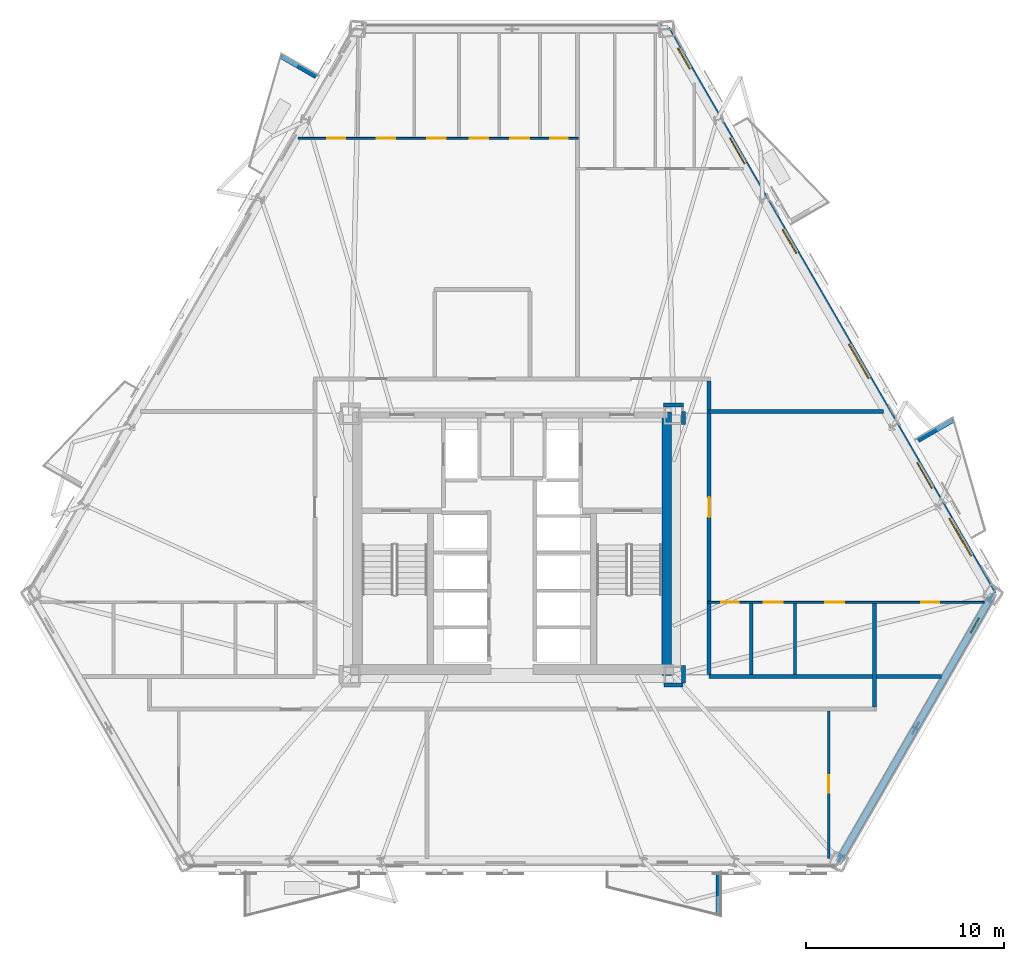
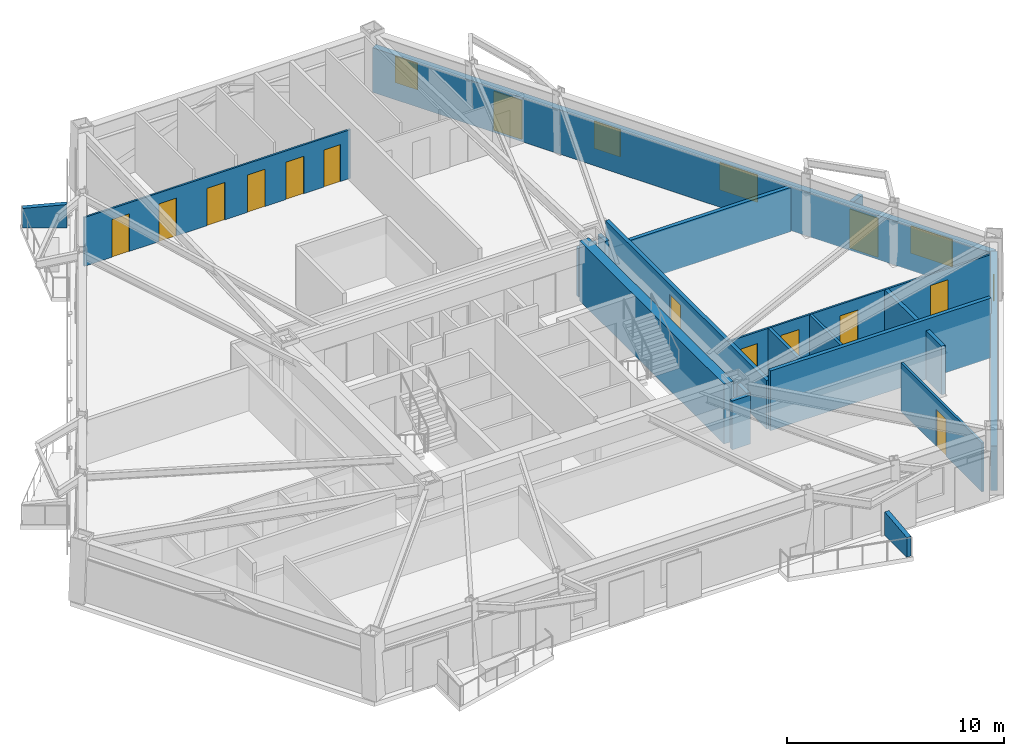
# One storey, part 5 of 12: 19 walls, 14 doors, 5 windows, 19 openings.
"""IFC4 building model written with IfcOpenShell, lengths in metres."""

from ifc_helpers import new_model, si_unit, direction, frame, frame_2d, origin, place, context, subcontext, project, spatial, polyline, rectangle, outline, extrude, material, layer, layer_set, type_object, element, fill, save


model = new_model("IFC4")

# Units and contexts
model_context = context("Model", 3, precision=1e-05, world=origin(), true_north=direction((0.0, 1.0)))
body_context = subcontext(model_context, "Body", "Model", "MODEL_VIEW")
ifc_project = project(units=[si_unit("LENGTHUNIT", "METRE"), si_unit("AREAUNIT", "SQUARE_METRE"), si_unit("VOLUMEUNIT", "CUBIC_METRE"), si_unit("PLANEANGLEUNIT", "RADIAN"), si_unit("MASSUNIT", "GRAM", prefix="KILO")], contexts=[model_context])

# Site, building, storey
site_placement = place(None, origin())
site = spatial("IfcSite", under=ifc_project, at=site_placement, CompositionType="ELEMENT")
building_placement = place(site_placement, origin())
building = spatial("IfcBuilding", under=site, at=building_placement, Name="Oramaril Tower", CompositionType="ELEMENT")
storey_placement = place(building_placement, frame((0.0, 0.0, 34.5)))
storey = spatial("IfcBuildingStorey", under=building, at=storey_placement, Name="L08", CompositionType="ELEMENT", Elevation=34.5)

# Wall, opening, window
ifc_material_1 = material(Name="Warm Cream Limestone", Category="masonry")
ifc_layer_1 = layer(ifc_material_1, 0.340087890625)
ifc_layer_set_1 = layer_set([ifc_layer_1], Name="WT-EXT34")
wall_type_1 = type_object("IfcWallType", Name="WT-EXT34", PredefinedType="SOLIDWALL", material=ifc_layer_set_1)
wall_1_placement = place(storey_placement, frame((53.9619140625, 1.5703125, 0.0), z_axis=(0.0, 0.0, 1.0), x_axis=(0.499997339613, 0.866026939754, 0.0)))
wall_1 = element("IfcWall", 1, at=wall_1_placement, inside=storey, type_object=wall_type_1, Name="L08 Tower Limestone Facade Wall 3M", PredefinedType="SOLIDWALL", context=body_context, shape_type="SweptSolid", body=[
    extrude(rectangle(XDim=15.63232421875, YDim=0.340087890625, at=frame_2d((7.816162109375, 0.0))), origin(), (0.0, 0.0, 1.0), 2.493896484375),
])
opening_1_placement = place(wall_1_placement, frame((13.37109375, 0.0, 1.280029296875)))
opening_1 = element("IfcOpeningElement", 2, at=opening_1_placement, cuts=wall_1, Name="Opening WN-13", PredefinedType="OPENING", context=body_context, shape_type="SweptSolid", body=[
    extrude(rectangle(XDim=0.85009765625, YDim=0.919921875, at=frame_2d((0.425048828125, 0.4599609375))), frame((0.0, 0.169921875, 0.0), z_axis=(0.0, -1.0, 0.0), x_axis=(1.0, 0.0, 0.0)), (0.0, 0.0, 1.0), 0.340087890625),
])
ifc_material_2 = material(Name="Coastal Low-E Insulated Glass", Category="glass")
window_type_1 = type_object("IfcWindowType", Name="WNT-13", PartitioningType="SINGLE_PANEL", PredefinedType="WINDOW", material=ifc_material_2)
window_1_placement = place(opening_1_placement, origin())
window_1 = element("IfcWindow", 3, at=window_1_placement, inside=storey, type_object=window_type_1, Name="L08 Apartment Bedroom Window WN-13", OverallHeight=0.919921875, OverallWidth=0.85009765625, PartitioningType="SINGLE_PANEL", PredefinedType="WINDOW", context=body_context, shape_type="SweptSolid", body=[
    extrude(rectangle(XDim=0.85009765625, YDim=0.919921875, at=frame_2d((0.425048828125, 0.4599609375))), frame((0.0, 0.030029296875, 0.0), z_axis=(0.0, -1.0, 0.0), x_axis=(1.0, 0.0, 0.0)), (0.0, 0.0, 1.0), 0.06005859375),
])
fill(opening_1, window_1)

# Wall, openings, doors, windows
wall_2_placement = place(storey_placement, frame((61.778076171875, 15.1083984375, 0.0), z_axis=(0.0, 0.0, 1.0), x_axis=(-0.499999106891, 0.866025919421, 0.0)))
wall_2 = element("IfcWall", 4, at=wall_2_placement, inside=storey, type_object=wall_type_1, Name="L08 Tower Limestone Facade Wall 4M", PredefinedType="SOLIDWALL", context=body_context, shape_type="SweptSolid", body=[
    extrude(rectangle(XDim=32.923828125, YDim=0.340087890625, at=frame_2d((16.4619140625, 0.0))), origin(), (0.0, 0.0, 1.0), 2.493896484375),
])
opening_2_placement = place(wall_2_placement, frame((6.159423828125, 0.0, 0.0)))
opening_2 = element("IfcOpeningElement", 5, at=opening_2_placement, cuts=wall_2, Name="Opening D-L08-BAL-NE1", PredefinedType="OPENING", context=body_context, shape_type="SweptSolid", body=[
    extrude(rectangle(XDim=1.5, YDim=2.199951171875, at=frame_2d((0.75, 1.10009765625))), frame((0.0, 0.169921875, 0.0), z_axis=(0.0, -1.0, 0.0), x_axis=(1.0, 0.0, 0.0)), (0.0, 0.0, 1.0), 0.340087890625),
])
opening_3_placement = place(wall_2_placement, frame((25.0693359375, 0.0, 0.0)))
opening_3 = element("IfcOpeningElement", 6, at=opening_3_placement, cuts=wall_2, Name="Opening D-L08-BAL-NE2", PredefinedType="OPENING", context=body_context, shape_type="SweptSolid", body=[
    extrude(rectangle(XDim=1.5, YDim=2.199951171875, at=frame_2d((0.75, 1.10009765625))), frame((0.0, 0.169921875, 0.0), z_axis=(0.0, -1.0, 0.0), x_axis=(1.0, 0.0, 0.0)), (0.0, 0.0, 1.0), 0.340087890625),
])
opening_4_placement = place(wall_2_placement, frame((2.207275390625, 0.0, 0.85009765625)))
opening_4 = element("IfcOpeningElement", 7, at=opening_4_placement, cuts=wall_2, Name="Opening WN-04", PredefinedType="OPENING", context=body_context, shape_type="SweptSolid", body=[
    extrude(rectangle(XDim=2.199951171875, YDim=1.533935546875, at=frame_2d((1.10009765625, 0.76708984375))), frame((0.0, 0.169921875, 0.0), z_axis=(0.0, -1.0, 0.0), x_axis=(1.0, 0.0, 0.0)), (0.0, 0.0, 1.0), 0.340087890625),
])
opening_5_placement = place(wall_2_placement, frame((12.558349609375, 0.0, 0.85009765625)))
opening_5 = element("IfcOpeningElement", 8, at=opening_5_placement, cuts=wall_2, Name="Opening WN-05", PredefinedType="OPENING", context=body_context, shape_type="SweptSolid", body=[
    extrude(rectangle(XDim=2.0, YDim=1.533935546875, at=frame_2d((1.0, 0.76708984375))), frame((0.0, 0.169921875, 0.0), z_axis=(0.0, -1.0, 0.0), x_axis=(1.0, 0.0, 0.0)), (0.0, 0.0, 1.0), 0.340087890625),
])
opening_6_placement = place(wall_2_placement, frame((19.84521484375, 0.0, 0.85009765625)))
opening_6 = element("IfcOpeningElement", 9, at=opening_6_placement, cuts=wall_2, Name="Opening WN-08", PredefinedType="OPENING", context=body_context, shape_type="SweptSolid", body=[
    extrude(rectangle(XDim=1.39990234375, YDim=1.533935546875, at=frame_2d((0.699951171875, 0.76708984375))), frame((0.0, 0.169921875, 0.0), z_axis=(0.0, -1.0, 0.0), x_axis=(1.0, 0.0, 0.0)), (0.0, 0.0, 1.0), 0.340087890625),
])
opening_7_placement = place(wall_2_placement, frame((30.60595703125, 0.0, 0.85009765625)))
opening_7 = element("IfcOpeningElement", 10, at=opening_7_placement, cuts=wall_2, Name="Opening WN-09", PredefinedType="OPENING", context=body_context, shape_type="SweptSolid", body=[
    extrude(rectangle(XDim=1.199951171875, YDim=1.47998046875, at=frame_2d((0.60009765625, 0.739990234375))), frame((0.0, 0.169921875, 0.0), z_axis=(0.0, -1.0, 0.0), x_axis=(1.0, 0.0, 0.0)), (0.0, 0.0, 1.0), 0.340087890625),
])
ifc_material_3 = material(Name="Anodised Aluminium 6063-T6", Category="aluminium")
door_type_1 = type_object("IfcDoorType", Name="DT-BAL", OperationType="NOTDEFINED", PredefinedType="DOOR", material=ifc_material_3)
door_1_placement = place(opening_2_placement, origin())
door_1 = element("IfcDoor", 11, at=door_1_placement, inside=storey, type_object=door_type_1, Name="L08 Balcony Glazed Door L08-BAL-NE1", OperationType="SINGLE_SWING_LEFT", OverallHeight=2.199951171875, OverallWidth=1.5, PredefinedType="DOOR", context=body_context, shape_type="SweptSolid", body=[
    extrude(rectangle(XDim=1.5, YDim=2.199951171875, at=frame_2d((0.75, 1.10009765625))), frame((0.0, 0.02490234375, 0.0), z_axis=(0.0, -1.0, 0.0), x_axis=(1.0, 0.0, 0.0)), (0.0, 0.0, 1.0), 0.050048828125),
])
fill(opening_2, door_1)
door_2_placement = place(opening_3_placement, origin())
door_2 = element("IfcDoor", 12, at=door_2_placement, inside=storey, type_object=door_type_1, Name="L08 Balcony Glazed Door L08-BAL-NE2", OperationType="SINGLE_SWING_RIGHT", OverallHeight=2.199951171875, OverallWidth=1.5, PredefinedType="DOOR", context=body_context, shape_type="SweptSolid", body=[
    extrude(rectangle(XDim=1.5, YDim=2.199951171875, at=frame_2d((0.75, 1.10009765625))), frame((0.0, 0.02490234375, 0.0), z_axis=(0.0, -1.0, 0.0), x_axis=(1.0, 0.0, 0.0)), (0.0, 0.0, 1.0), 0.050048828125),
])
fill(opening_3, door_2)
ifc_material_4 = material(Name="Coastal Low-E Insulated Glass", Category="glass")
window_type_2 = type_object("IfcWindowType", Name="WNT-04", PartitioningType="SINGLE_PANEL", PredefinedType="WINDOW", material=ifc_material_4)
window_2_placement = place(opening_4_placement, origin())
window_2 = element("IfcWindow", 13, at=window_2_placement, inside=storey, type_object=window_type_2, Name="L08 Chicago Bay Window WN-04", OverallHeight=1.533935546875, OverallWidth=2.199951171875, PartitioningType="SINGLE_PANEL", PredefinedType="WINDOW", context=body_context, shape_type="SweptSolid", body=[
    extrude(rectangle(XDim=2.199951171875, YDim=1.533935546875, at=frame_2d((1.10009765625, 0.76708984375))), frame((0.0, 0.030029296875, 0.0), z_axis=(0.0, -1.0, 0.0), x_axis=(1.0, 0.0, 0.0)), (0.0, 0.0, 1.0), 0.06005859375),
])
fill(opening_4, window_2)
ifc_material_5 = material(Name="Coastal Low-E Insulated Glass", Category="glass")
window_type_3 = type_object("IfcWindowType", Name="WNT-05", PartitioningType="SINGLE_PANEL", PredefinedType="WINDOW", material=ifc_material_5)
window_3_placement = place(opening_5_placement, origin())
window_3 = element("IfcWindow", 14, at=window_3_placement, inside=storey, type_object=window_type_3, Name="L08 Chicago Bay Window WN-05", OverallHeight=1.533935546875, OverallWidth=2.0, PartitioningType="SINGLE_PANEL", PredefinedType="WINDOW", context=body_context, shape_type="SweptSolid", body=[
    extrude(rectangle(XDim=2.0, YDim=1.533935546875, at=frame_2d((1.0, 0.76708984375))), frame((0.0, 0.030029296875, 0.0), z_axis=(0.0, -1.0, 0.0), x_axis=(1.0, 0.0, 0.0)), (0.0, 0.0, 1.0), 0.06005859375),
])
fill(opening_5, window_3)
ifc_material_6 = material(Name="Coastal Low-E Insulated Glass", Category="glass")
window_type_4 = type_object("IfcWindowType", Name="WNT-08", PartitioningType="SINGLE_PANEL", PredefinedType="WINDOW", material=ifc_material_6)
window_4_placement = place(opening_6_placement, origin())
window_4 = element("IfcWindow", 15, at=window_4_placement, inside=storey, type_object=window_type_4, Name="L08 Chicago Bay Window WN-08", OverallHeight=1.533935546875, OverallWidth=1.39990234375, PartitioningType="SINGLE_PANEL", PredefinedType="WINDOW", context=body_context, shape_type="SweptSolid", body=[
    extrude(rectangle(XDim=1.39990234375, YDim=1.533935546875, at=frame_2d((0.699951171875, 0.76708984375))), frame((0.0, 0.030029296875, 0.0), z_axis=(0.0, -1.0, 0.0), x_axis=(1.0, 0.0, 0.0)), (0.0, 0.0, 1.0), 0.06005859375),
])
fill(opening_6, window_4)
ifc_material_7 = material(Name="Coastal Low-E Insulated Glass", Category="glass")
window_type_5 = type_object("IfcWindowType", Name="WNT-09", PartitioningType="SINGLE_PANEL", PredefinedType="WINDOW", material=ifc_material_7)
window_5_placement = place(opening_7_placement, origin())
window_5 = element("IfcWindow", 16, at=window_5_placement, inside=storey, type_object=window_type_5, Name="L08 Chicago Bay Window WN-09", OverallHeight=1.47998046875, OverallWidth=1.199951171875, PartitioningType="SINGLE_PANEL", PredefinedType="WINDOW", context=body_context, shape_type="SweptSolid", body=[
    extrude(rectangle(XDim=1.199951171875, YDim=1.47998046875, at=frame_2d((0.60009765625, 0.739990234375))), frame((0.0, 0.030029296875, 0.0), z_axis=(0.0, -1.0, 0.0), x_axis=(1.0, 0.0, 0.0)), (0.0, 0.0, 1.0), 0.06005859375),
])
fill(opening_7, window_5)

# Walls
ifc_material_8 = material(Name="Concrete C40/50", Category="concrete")
ifc_layer_2 = layer(ifc_material_8, 0.22998046875)
ifc_layer_set_2 = layer_set([ifc_layer_2], Name="WT-PRP23")
wall_type_2 = type_object("IfcWallType", Name="WT-PRP23", PredefinedType="PARAPET", material=ifc_layer_set_2)
for number, where, z_axis, x_axis, name in (
    (17, (47.922607421875, 0.972412109375, 0.0), (0.0, 0.0, 1.0), (0.0, -1.0, 0.0), "L08 Trapezoidal Balcony Frame Cheek L08-BAL-S2-R"),
    (18, (57.993896484375, 22.85888671875, 0.0), (0.0, 0.0, 1.0), (0.866012356593, 0.500022597718, 0.0), "L08 Trapezoidal Balcony Frame Cheek L08-BAL-NE1-R"),
    (19, (27.608642578125, 41.22314453125, 0.0), (0.0, 0.0, 1.0), (-0.866012356593, 0.500022597718, 0.0), "L08 Trapezoidal Balcony Frame Cheek L08-BAL-NW1-L"),
):
    element("IfcWall", number, at=place(storey_placement, frame(where, z_axis=z_axis, x_axis=x_axis)), inside=storey, type_object=wall_type_2, Name=name, PredefinedType="PARAPET", context=body_context, shape_type="SweptSolid", body=[
        extrude(outline(polyline([(0.0, 0.0), (2.0419921875, 0.0), (2.0419921875, 1.10009765625), (0.0, 1.320068359375), (0.0, 0.0)])), frame((0.0, 0.114990234375, 0.0), z_axis=(0.0, -1.0, 0.0), x_axis=(1.0, 0.0, 0.0)), (0.0, 0.0, 1.0), 0.22998046875),
    ])

# Wall, openings, doors
ifc_material_9 = material(Name="Acoustic Gypsum Board Partition")
ifc_layer_3 = layer(ifc_material_9, 0.10009765625)
ifc_layer_set_3 = layer_set([ifc_layer_3], Name="WT-PT10")
wall_type_3 = type_object("IfcWallType", Name="WT-PT10", PredefinedType="PARTITIONING", material=ifc_layer_set_3)
wall_3_placement = place(storey_placement, frame((47.39990234375, 14.68994140625, 0.0), z_axis=(0.0, 0.0, 1.0), x_axis=(1.0, 0.0, 0.0)))
wall_3 = element("IfcWall", 20, at=wall_3_placement, inside=storey, type_object=wall_type_3, Name="L08 Interior Partition PT-10", PredefinedType="PARTITIONING", context=body_context, shape_type="SweptSolid", body=[
    extrude(rectangle(XDim=13.9306640625, YDim=0.10009765625, at=frame_2d((6.96533203125, 0.0))), origin(), (0.0, 0.0, 1.0), 2.738037109375),
])
opening_8_placement = place(wall_3_placement, frame((0.6591796875, 0.0, 0.0)))
opening_8 = element("IfcOpeningElement", 21, at=opening_8_placement, cuts=wall_3, Name="Opening D-L08-08", PredefinedType="OPENING", context=body_context, shape_type="SweptSolid", body=[
    extrude(rectangle(XDim=0.8798828125, YDim=2.080078125, at=frame_2d((0.43994140625, 1.0400390625))), frame((0.0, 0.050048828125, 0.0), z_axis=(0.0, -1.0, 0.0), x_axis=(1.0, 0.0, 0.0)), (0.0, 0.0, 1.0), 0.10009765625),
])
opening_9_placement = place(wall_3_placement, frame((2.80419921875, 0.0, 0.0)))
opening_9 = element("IfcOpeningElement", 22, at=opening_9_placement, cuts=wall_3, Name="Opening D-L08-09", PredefinedType="OPENING", context=body_context, shape_type="SweptSolid", body=[
    extrude(rectangle(XDim=0.949951171875, YDim=2.10009765625, at=frame_2d((0.47509765625, 1.050048828125))), frame((0.0, 0.050048828125, 0.0), z_axis=(0.0, -1.0, 0.0), x_axis=(1.0, 0.0, 0.0)), (0.0, 0.0, 1.0), 0.10009765625),
])
opening_10_placement = place(wall_3_placement, frame((5.92431640625, 0.0, 0.0)))
opening_10 = element("IfcOpeningElement", 23, at=opening_10_placement, cuts=wall_3, Name="Opening D-L08-10", PredefinedType="OPENING", context=body_context, shape_type="SweptSolid", body=[
    extrude(rectangle(XDim=0.949951171875, YDim=2.10009765625, at=frame_2d((0.47509765625, 1.050048828125))), frame((0.0, 0.050048828125, 0.0), z_axis=(0.0, -1.0, 0.0), x_axis=(1.0, 0.0, 0.0)), (0.0, 0.0, 1.0), 0.10009765625),
])
opening_11_placement = place(wall_3_placement, frame((10.746826171875, 0.0, 0.0)))
opening_11 = element("IfcOpeningElement", 24, at=opening_11_placement, cuts=wall_3, Name="Opening D-L08-11", PredefinedType="OPENING", context=body_context, shape_type="SweptSolid", body=[
    extrude(rectangle(XDim=0.919921875, YDim=2.1201171875, at=frame_2d((0.4599609375, 1.06005859375))), frame((0.0, 0.050048828125, 0.0), z_axis=(0.0, -1.0, 0.0), x_axis=(1.0, 0.0, 0.0)), (0.0, 0.0, 1.0), 0.10009765625),
])
ifc_material_10 = material(Name="FSC Brazilian Freijo Hardwood", Category="wood")
door_type_2 = type_object("IfcDoorType", Name="DT-BATH", OperationType="NOTDEFINED", PredefinedType="DOOR", material=ifc_material_10)
door_3_placement = place(opening_8_placement, origin())
door_3 = element("IfcDoor", 25, at=door_3_placement, inside=storey, type_object=door_type_2, Name="L08 Flat L08-U4 Bathroom Door D-L08-08", OperationType="SINGLE_SWING_RIGHT", OverallHeight=2.080078125, OverallWidth=0.8798828125, PredefinedType="DOOR", context=body_context, shape_type="SweptSolid", body=[
    extrude(rectangle(XDim=0.8798828125, YDim=2.080078125, at=frame_2d((0.43994140625, 1.0400390625))), frame((0.0, 0.02490234375, 0.0), z_axis=(0.0, -1.0, 0.0), x_axis=(1.0, 0.0, 0.0)), (0.0, 0.0, 1.0), 0.050048828125),
])
fill(opening_8, door_3)
ifc_material_11 = material(Name="FSC Brazilian Freijo Hardwood", Category="wood")
door_type_3 = type_object("IfcDoorType", Name="DT-BED", OperationType="NOTDEFINED", PredefinedType="DOOR", material=ifc_material_11)
door_4_placement = place(opening_11_placement, origin())
door_4 = element("IfcDoor", 26, at=door_4_placement, inside=storey, type_object=door_type_3, Name="L08 Flat L08-U4 Master Bedroom Door D-L08-11", OperationType="SINGLE_SWING_LEFT", OverallHeight=2.1201171875, OverallWidth=0.919921875, PredefinedType="DOOR", context=body_context, shape_type="SweptSolid", body=[
    extrude(rectangle(XDim=0.919921875, YDim=2.1201171875, at=frame_2d((0.4599609375, 1.06005859375))), frame((0.0, 0.02490234375, 0.0), z_axis=(0.0, -1.0, 0.0), x_axis=(1.0, 0.0, 0.0)), (0.0, 0.0, 1.0), 0.050048828125),
])
fill(opening_11, door_4)
ifc_material_12 = material(Name="FSC Brazilian Freijo Hardwood", Category="wood")
door_type_4 = type_object("IfcDoorType", Name="DT-STDY", OperationType="NOTDEFINED", PredefinedType="DOOR", material=ifc_material_12)
door_5_placement = place(opening_9_placement, origin())
door_5 = element("IfcDoor", 27, at=door_5_placement, inside=storey, type_object=door_type_4, Name="L08 Flat L08-U4 Kitchen Door D-L08-09", OperationType="SINGLE_SWING_LEFT", OverallHeight=2.10009765625, OverallWidth=0.949951171875, PredefinedType="DOOR", context=body_context, shape_type="SweptSolid", body=[
    extrude(rectangle(XDim=0.949951171875, YDim=2.10009765625, at=frame_2d((0.47509765625, 1.050048828125))), frame((0.0, 0.02490234375, 0.0), z_axis=(0.0, -1.0, 0.0), x_axis=(1.0, 0.0, 0.0)), (0.0, 0.0, 1.0), 0.050048828125),
])
fill(opening_9, door_5)
door_6_placement = place(opening_10_placement, origin())
door_6 = element("IfcDoor", 28, at=door_6_placement, inside=storey, type_object=door_type_4, Name="L08 Flat L08-U4 Home Office Door D-L08-10", OperationType="SINGLE_SWING_RIGHT", OverallHeight=2.10009765625, OverallWidth=0.949951171875, PredefinedType="DOOR", context=body_context, shape_type="SweptSolid", body=[
    extrude(rectangle(XDim=0.949951171875, YDim=2.10009765625, at=frame_2d((0.47509765625, 1.050048828125))), frame((0.0, 0.02490234375, 0.0), z_axis=(0.0, -1.0, 0.0), x_axis=(1.0, 0.0, 0.0)), (0.0, 0.0, 1.0), 0.050048828125),
])
fill(opening_10, door_6)

wall_4_placement = place(storey_placement, frame((26.702880859375, 38.110107421875, 0.0), z_axis=(0.0, 0.0, 1.0), x_axis=(1.0, 0.0, 0.0)))
wall_4 = element("IfcWall", 29, at=wall_4_placement, inside=storey, type_object=wall_type_3, Name="L08 Interior Partition PT-10", PredefinedType="PARTITIONING", context=body_context, shape_type="SweptSolid", body=[
    extrude(rectangle(XDim=14.147216796875, YDim=0.10009765625, at=frame_2d((7.07373046875, 0.0))), origin(), (0.0, 0.0, 1.0), 2.738037109375),
])
opening_12_placement = place(wall_4_placement, frame((1.47021484375, 0.0, 0.0)))
opening_12 = element("IfcOpeningElement", 30, at=opening_12_placement, cuts=wall_4, Name="Opening D-L08-19", PredefinedType="OPENING", context=body_context, shape_type="SweptSolid", body=[
    extrude(rectangle(XDim=0.919921875, YDim=2.1201171875, at=frame_2d((0.4599609375, 1.06005859375))), frame((0.0, 0.050048828125, 0.0), z_axis=(0.0, -1.0, 0.0), x_axis=(1.0, 0.0, 0.0)), (0.0, 0.0, 1.0), 0.10009765625),
])
opening_13_placement = place(wall_4_placement, frame((3.9765625, 0.0, 0.0)))
opening_13 = element("IfcOpeningElement", 31, at=opening_13_placement, cuts=wall_4, Name="Opening D-L08-20", PredefinedType="OPENING", context=body_context, shape_type="SweptSolid", body=[
    extrude(rectangle(XDim=0.919921875, YDim=2.1201171875, at=frame_2d((0.4599609375, 1.06005859375))), frame((0.0, 0.050048828125, 0.0), z_axis=(0.0, -1.0, 0.0), x_axis=(1.0, 0.0, 0.0)), (0.0, 0.0, 1.0), 0.10009765625),
])
opening_14_placement = place(wall_4_placement, frame((6.515380859375, 0.0, 0.0)))
opening_14 = element("IfcOpeningElement", 32, at=opening_14_placement, cuts=wall_4, Name="Opening D-L08-21", PredefinedType="OPENING", context=body_context, shape_type="SweptSolid", body=[
    extrude(rectangle(XDim=0.949951171875, YDim=2.10009765625, at=frame_2d((0.47509765625, 1.050048828125))), frame((0.0, 0.050048828125, 0.0), z_axis=(0.0, -1.0, 0.0), x_axis=(1.0, 0.0, 0.0)), (0.0, 0.0, 1.0), 0.10009765625),
])
opening_15_placement = place(wall_4_placement, frame((8.66064453125, 0.0, 0.0)))
opening_15 = element("IfcOpeningElement", 33, at=opening_15_placement, cuts=wall_4, Name="Opening D-L08-22", PredefinedType="OPENING", context=body_context, shape_type="SweptSolid", body=[
    extrude(rectangle(XDim=0.949951171875, YDim=2.10009765625, at=frame_2d((0.47509765625, 1.050048828125))), frame((0.0, 0.050048828125, 0.0), z_axis=(0.0, -1.0, 0.0), x_axis=(1.0, 0.0, 0.0)), (0.0, 0.0, 1.0), 0.10009765625),
])
opening_16_placement = place(wall_4_placement, frame((10.707275390625, 0.0, 0.0)))
opening_16 = element("IfcOpeningElement", 34, at=opening_16_placement, cuts=wall_4, Name="Opening D-L08-23", PredefinedType="OPENING", context=body_context, shape_type="SweptSolid", body=[
    extrude(rectangle(XDim=0.949951171875, YDim=2.10009765625, at=frame_2d((0.47509765625, 1.050048828125))), frame((0.0, 0.050048828125, 0.0), z_axis=(0.0, -1.0, 0.0), x_axis=(1.0, 0.0, 0.0)), (0.0, 0.0, 1.0), 0.10009765625),
])
opening_17_placement = place(wall_4_placement, frame((12.727294921875, 0.0, 0.0)))
opening_17 = element("IfcOpeningElement", 35, at=opening_17_placement, cuts=wall_4, Name="Opening D-L08-24", PredefinedType="OPENING", context=body_context, shape_type="SweptSolid", body=[
    extrude(rectangle(XDim=0.8798828125, YDim=2.080078125, at=frame_2d((0.43994140625, 1.0400390625))), frame((0.0, 0.050048828125, 0.0), z_axis=(0.0, -1.0, 0.0), x_axis=(1.0, 0.0, 0.0)), (0.0, 0.0, 1.0), 0.10009765625),
])
door_7_placement = place(opening_17_placement, origin())
door_7 = element("IfcDoor", 36, at=door_7_placement, inside=storey, type_object=door_type_2, Name="L08 Flat L08-U5 Bathroom Door D-L08-24", OperationType="SINGLE_SWING_RIGHT", OverallHeight=2.080078125, OverallWidth=0.8798828125, PredefinedType="DOOR", context=body_context, shape_type="SweptSolid", body=[
    extrude(rectangle(XDim=0.8798828125, YDim=2.080078125, at=frame_2d((0.43994140625, 1.0400390625))), frame((0.0, 0.02490234375, 0.0), z_axis=(0.0, -1.0, 0.0), x_axis=(1.0, 0.0, 0.0)), (0.0, 0.0, 1.0), 0.050048828125),
])
fill(opening_17, door_7)
door_8_placement = place(opening_12_placement, origin())
door_8 = element("IfcDoor", 37, at=door_8_placement, inside=storey, type_object=door_type_3, Name="L08 Flat L08-U5 Master Bedroom Door D-L08-19", OperationType="SINGLE_SWING_LEFT", OverallHeight=2.1201171875, OverallWidth=0.919921875, PredefinedType="DOOR", context=body_context, shape_type="SweptSolid", body=[
    extrude(rectangle(XDim=0.919921875, YDim=2.1201171875, at=frame_2d((0.4599609375, 1.06005859375))), frame((0.0, 0.02490234375, 0.0), z_axis=(0.0, -1.0, 0.0), x_axis=(1.0, 0.0, 0.0)), (0.0, 0.0, 1.0), 0.050048828125),
])
fill(opening_12, door_8)
door_9_placement = place(opening_13_placement, origin())
door_9 = element("IfcDoor", 38, at=door_9_placement, inside=storey, type_object=door_type_3, Name="L08 Flat L08-U5 Bedroom 2 Door D-L08-20", OperationType="SINGLE_SWING_RIGHT", OverallHeight=2.1201171875, OverallWidth=0.919921875, PredefinedType="DOOR", context=body_context, shape_type="SweptSolid", body=[
    extrude(rectangle(XDim=0.919921875, YDim=2.1201171875, at=frame_2d((0.4599609375, 1.06005859375))), frame((0.0, 0.02490234375, 0.0), z_axis=(0.0, -1.0, 0.0), x_axis=(1.0, 0.0, 0.0)), (0.0, 0.0, 1.0), 0.050048828125),
])
fill(opening_13, door_9)
door_10_placement = place(opening_14_placement, origin())
door_10 = element("IfcDoor", 39, at=door_10_placement, inside=storey, type_object=door_type_4, Name="L08 Flat L08-U5 Dining Room Door D-L08-21", OperationType="SINGLE_SWING_LEFT", OverallHeight=2.10009765625, OverallWidth=0.949951171875, PredefinedType="DOOR", context=body_context, shape_type="SweptSolid", body=[
    extrude(rectangle(XDim=0.949951171875, YDim=2.10009765625, at=frame_2d((0.47509765625, 1.050048828125))), frame((0.0, 0.02490234375, 0.0), z_axis=(0.0, -1.0, 0.0), x_axis=(1.0, 0.0, 0.0)), (0.0, 0.0, 1.0), 0.050048828125),
])
fill(opening_14, door_10)
door_11_placement = place(opening_15_placement, origin())
door_11 = element("IfcDoor", 40, at=door_11_placement, inside=storey, type_object=door_type_4, Name="L08 Flat L08-U5 Private Dining Room Door D-L08-22", OperationType="SINGLE_SWING_RIGHT", OverallHeight=2.10009765625, OverallWidth=0.949951171875, PredefinedType="DOOR", context=body_context, shape_type="SweptSolid", body=[
    extrude(rectangle(XDim=0.949951171875, YDim=2.10009765625, at=frame_2d((0.47509765625, 1.050048828125))), frame((0.0, 0.02490234375, 0.0), z_axis=(0.0, -1.0, 0.0), x_axis=(1.0, 0.0, 0.0)), (0.0, 0.0, 1.0), 0.050048828125),
])
fill(opening_15, door_11)
door_12_placement = place(opening_16_placement, origin())
door_12 = element("IfcDoor", 41, at=door_12_placement, inside=storey, type_object=door_type_4, Name="L08 Flat L08-U5 Kitchen Door D-L08-23", OperationType="SINGLE_SWING_LEFT", OverallHeight=2.10009765625, OverallWidth=0.949951171875, PredefinedType="DOOR", context=body_context, shape_type="SweptSolid", body=[
    extrude(rectangle(XDim=0.949951171875, YDim=2.10009765625, at=frame_2d((0.47509765625, 1.050048828125))), frame((0.0, 0.02490234375, 0.0), z_axis=(0.0, -1.0, 0.0), x_axis=(1.0, 0.0, 0.0)), (0.0, 0.0, 1.0), 0.050048828125),
])
fill(opening_16, door_12)

# Wall, opening, door
ifc_material_13 = material(Name="Acoustic Gypsum Board Partition")
ifc_layer_4 = layer(ifc_material_13, 0.1201171875)
ifc_layer_set_4 = layer_set([ifc_layer_4], Name="WT-PT12")
wall_type_4 = type_object("IfcWallType", Name="WT-PT12", PredefinedType="PARTITIONING", material=ifc_layer_set_4)
wall_5_placement = place(storey_placement, frame((53.47998046875, 1.744384765625, 0.0), z_axis=(0.0, 0.0, 1.0), x_axis=(0.0, 1.0, 0.0)))
wall_5 = element("IfcWall", 42, at=wall_5_placement, inside=storey, type_object=wall_type_4, Name="L08 Interior Partition PT-12", PredefinedType="PARTITIONING", context=body_context, shape_type="SweptSolid", body=[
    extrude(rectangle(XDim=7.45166015625, YDim=0.1201171875, at=frame_2d((3.725830078125, 0.0))), origin(), (0.0, 0.0, 1.0), 2.738037109375),
])
opening_18_placement = place(wall_5_placement, frame((3.325927734375, 0.0, 0.0)))
opening_18 = element("IfcOpeningElement", 43, at=opening_18_placement, cuts=wall_5, Name="Opening D-L08-28", PredefinedType="OPENING", context=body_context, shape_type="SweptSolid", body=[
    extrude(rectangle(XDim=0.8798828125, YDim=2.080078125, at=frame_2d((0.43994140625, 1.0400390625))), frame((0.0, 0.06005859375, 0.0), z_axis=(0.0, -1.0, 0.0), x_axis=(1.0, 0.0, 0.0)), (0.0, 0.0, 1.0), 0.1201171875),
])
door_13_placement = place(opening_18_placement, origin())
door_13 = element("IfcDoor", 44, at=door_13_placement, inside=storey, type_object=door_type_2, Name="L08 Flat L08-U2 Bathroom Door D-L08-28", OperationType="SINGLE_SWING_RIGHT", OverallHeight=2.080078125, OverallWidth=0.8798828125, PredefinedType="DOOR", context=body_context, shape_type="SweptSolid", body=[
    extrude(rectangle(XDim=0.8798828125, YDim=2.080078125, at=frame_2d((0.43994140625, 1.0400390625))), frame((0.0, 0.02490234375, 0.0), z_axis=(0.0, -1.0, 0.0), x_axis=(1.0, 0.0, 0.0)), (0.0, 0.0, 1.0), 0.050048828125),
])
fill(opening_18, door_13)

# Walls
ifc_material_14 = material(Name="Acoustic Gypsum Board Partition")
ifc_layer_5 = layer(ifc_material_14, 0.139892578125)
ifc_layer_set_5 = layer_set([ifc_layer_5], Name="WT-PT14")
wall_type_5 = type_object("IfcWallType", Name="WT-PT14", PredefinedType="PARTITIONING", material=ifc_layer_set_5)
wall_6_placement = place(storey_placement, frame((51.780029296875, 11.053955078125, 0.0), z_axis=(0.0, 0.0, 1.0), x_axis=(0.0, 1.0, 0.0)))
element("IfcWall", 45, at=wall_6_placement, inside=storey, type_object=wall_type_5, Name="L08 Interior Partition PT-14", PredefinedType="PARTITIONING", context=body_context, shape_type="SweptSolid", body=[
    extrude(rectangle(XDim=3.58203125, YDim=0.139892578125, at=frame_2d((1.791015625, 0.0))), origin(), (0.0, 0.0, 1.0), 2.738037109375),
])
ifc_material_15 = material(Name="Acoustic Gypsum Board Partition")
ifc_layer_6 = layer(ifc_material_15, 0.159912109375)
ifc_layer_set_6 = layer_set([ifc_layer_6], Name="WT-PT16")
wall_type_6 = type_object("IfcWallType", Name="WT-PT16", PredefinedType="PARTITIONING", material=ifc_layer_set_6)
wall_7_placement = place(storey_placement, frame((49.580078125, 11.053955078125, 0.0), z_axis=(0.0, 0.0, 1.0), x_axis=(0.0, 1.0, 0.0)))
element("IfcWall", 46, at=wall_7_placement, inside=storey, type_object=wall_type_6, Name="L08 Interior Partition PT-16", PredefinedType="PARTITIONING", context=body_context, shape_type="SweptSolid", body=[
    extrude(rectangle(XDim=3.58203125, YDim=0.159912109375, at=frame_2d((1.791015625, 0.0))), origin(), (0.0, 0.0, 1.0), 2.738037109375),
])
ifc_material_16 = material(Name="Autoclaved Cellular Concrete Block", Category="concrete")
ifc_layer_7 = layer(ifc_material_16, 0.199951171875)
ifc_layer_set_7 = layer_set([ifc_layer_7], Name="WT-PT20")
wall_type_7 = type_object("IfcWallType", Name="WT-PT20", PredefinedType="PARTITIONING", material=ifc_layer_set_7)
wall_8_placement = place(storey_placement, frame((45.159912109375, 10.510009765625, 0.0), z_axis=(0.0, 0.0, 1.0), x_axis=(1.0, 0.0, 0.0)))
element("IfcWall", 47, at=wall_8_placement, inside=storey, type_object=wall_type_7, Name="L08 Interior Partition PT-20", PredefinedType="PARTITIONING", context=body_context, shape_type="SweptSolid", body=[
    extrude(rectangle(XDim=0.97998046875, YDim=0.199951171875, at=frame_2d((0.489990234375, 0.0))), origin(), (0.0, 0.0, 1.0), 2.738037109375),
])
wall_9_placement = place(storey_placement, frame((47.449951171875, 10.949951171875, 0.0), z_axis=(0.0, 0.0, 1.0), x_axis=(1.0, 0.0, 0.0)))
element("IfcWall", 48, at=wall_9_placement, inside=storey, type_object=wall_type_7, Name="L08 Interior Partition PT-20", PredefinedType="PARTITIONING", context=body_context, shape_type="SweptSolid", body=[
    extrude(rectangle(XDim=11.726318359375, YDim=0.199951171875, at=frame_2d((5.86328125, 0.0))), origin(), (0.0, 0.0, 1.0), 3.360107421875),
])
wall_10_placement = place(storey_placement, frame((47.449951171875, 24.320068359375, 0.0), z_axis=(0.0, 0.0, 1.0), x_axis=(1.0, 0.0, 0.0)))
element("IfcWall", 49, at=wall_10_placement, inside=storey, type_object=wall_type_7, Name="L08 Interior Partition PT-20", PredefinedType="PARTITIONING", context=body_context, shape_type="SweptSolid", body=[
    extrude(rectangle(XDim=8.808837890625, YDim=0.199951171875, at=frame_2d((4.404296875, 0.0))), origin(), (0.0, 0.0, 1.0), 2.493896484375),
])
wall_11_placement = place(storey_placement, frame((45.155029296875, 24.639892578125, 0.0), z_axis=(0.0, 0.0, 1.0), x_axis=(1.0, 0.0, 0.0)))
element("IfcWall", 50, at=wall_11_placement, inside=storey, type_object=wall_type_7, Name="L08 Interior Partition PT-20", PredefinedType="PARTITIONING", context=body_context, shape_type="SweptSolid", body=[
    extrude(rectangle(XDim=0.989990234375, YDim=0.199951171875, at=frame_2d((0.4951171875, 0.0))), origin(), (0.0, 0.0, 1.0), 2.738037109375),
])
wall_12_placement = place(storey_placement, frame((46.14990234375, 10.614013671875, 0.0), z_axis=(0.0, 0.0, 1.0), x_axis=(0.0, 1.0, 0.0)))
element("IfcWall", 51, at=wall_12_placement, inside=storey, type_object=wall_type_7, Name="L08 Interior Partition PT-20", PredefinedType="PARTITIONING", context=body_context, shape_type="SweptSolid", body=[
    extrude(rectangle(XDim=0.881103515625, YDim=0.199951171875, at=frame_2d((0.4404296875, 0.0))), origin(), (0.0, 0.0, 1.0), 2.738037109375),
])
wall_13_placement = place(storey_placement, frame((46.14990234375, 23.655029296875, 0.0), z_axis=(0.0, 0.0, 1.0), x_axis=(0.0, 1.0, 0.0)))
element("IfcWall", 52, at=wall_13_placement, inside=storey, type_object=wall_type_7, Name="L08 Interior Partition PT-20", PredefinedType="PARTITIONING", context=body_context, shape_type="SweptSolid", body=[
    extrude(rectangle(XDim=0.6650390625, YDim=0.199951171875, at=frame_2d((0.33251953125, 0.0))), origin(), (0.0, 0.0, 1.0), 3.360107421875),
])

# Wall, opening, door
wall_14_placement = place(storey_placement, frame((47.449951171875, 11.053955078125, 0.0), z_axis=(0.0, 0.0, 1.0), x_axis=(0.0, 1.0, 0.0)))
wall_14 = element("IfcWall", 53, at=wall_14_placement, inside=storey, type_object=wall_type_7, Name="L08 Interior Partition PT-20", PredefinedType="PARTITIONING", context=body_context, shape_type="SweptSolid", body=[
    extrude(rectangle(XDim=14.81201171875, YDim=0.199951171875, at=frame_2d((7.406005859375, 0.0))), origin(), (0.0, 0.0, 1.0), 2.738037109375),
])
opening_19_placement = place(wall_14_placement, frame((7.931884765625, 0.0, 0.0)))
opening_19 = element("IfcOpeningElement", 54, at=opening_19_placement, cuts=wall_14, Name="Opening D-L08-27", PredefinedType="OPENING", context=body_context, shape_type="SweptSolid", body=[
    extrude(rectangle(XDim=1.0, YDim=2.179931640625, at=frame_2d((0.5, 1.08984375))), frame((0.0, 0.10009765625, 0.0), z_axis=(0.0, -1.0, 0.0), x_axis=(1.0, 0.0, 0.0)), (0.0, 0.0, 1.0), 0.199951171875),
])
ifc_material_17 = material(Name="FSC Brazilian Freijo Hardwood", Category="wood")
door_type_5 = type_object("IfcDoorType", Name="DT-APT", OperationType="NOTDEFINED", PredefinedType="DOOR", material=ifc_material_17)
door_14_placement = place(opening_19_placement, origin())
door_14 = element("IfcDoor", 55, at=door_14_placement, inside=storey, type_object=door_type_5, Name="L08 Flat L08-U4 Penthouse Living and Dining Room Door D-L08-27", OperationType="SINGLE_SWING_LEFT", OverallHeight=2.179931640625, OverallWidth=1.0, PredefinedType="DOOR", context=body_context, shape_type="SweptSolid", body=[
    extrude(rectangle(XDim=1.0, YDim=2.179931640625, at=frame_2d((0.5, 1.08984375))), frame((0.0, 0.02490234375, 0.0), z_axis=(0.0, -1.0, 0.0), x_axis=(1.0, 0.0, 0.0)), (0.0, 0.0, 1.0), 0.050048828125),
])
fill(opening_19, door_14)

# Walls
wall_15_placement = place(storey_placement, frame((55.800048828125, 9.404052734375, 0.0), z_axis=(0.0, 0.0, 1.0), x_axis=(0.0, 1.0, 0.0)))
element("IfcWall", 56, at=wall_15_placement, inside=storey, type_object=wall_type_7, Name="L08 Interior Partition PT-20", PredefinedType="PARTITIONING", context=body_context, shape_type="SweptSolid", body=[
    extrude(rectangle(XDim=5.23193359375, YDim=0.199951171875, at=frame_2d((2.615966796875, 0.0))), origin(), (0.0, 0.0, 1.0), 2.738037109375),
])
ifc_material_18 = material(Name="Concrete C50/60", Category="concrete")
ifc_layer_8 = layer(ifc_material_18, 0.5)
ifc_layer_set_8 = layer_set([ifc_layer_8], Name="WT-SH50")
wall_type_8 = type_object("IfcWallType", Name="WT-SH50", PredefinedType="SHEAR", material=ifc_layer_set_8)
wall_16_placement = place(storey_placement, frame((45.31005859375, 11.0, 0.0), z_axis=(0.0, 0.0, 1.0), x_axis=(0.0, 1.0, 0.0)))
element("IfcWall", 57, at=wall_16_placement, inside=storey, type_object=wall_type_8, Name="L08 Core Shear Wall CW-E", PredefinedType="SHEAR", context=body_context, shape_type="SweptSolid", body=[
    extrude(rectangle(XDim=13.300048828125, YDim=0.5, at=frame_2d((6.64990234375, 0.0))), origin(), (0.0, 0.0, 1.0), 3.360107421875),
])

save(model, "model.ifc")
